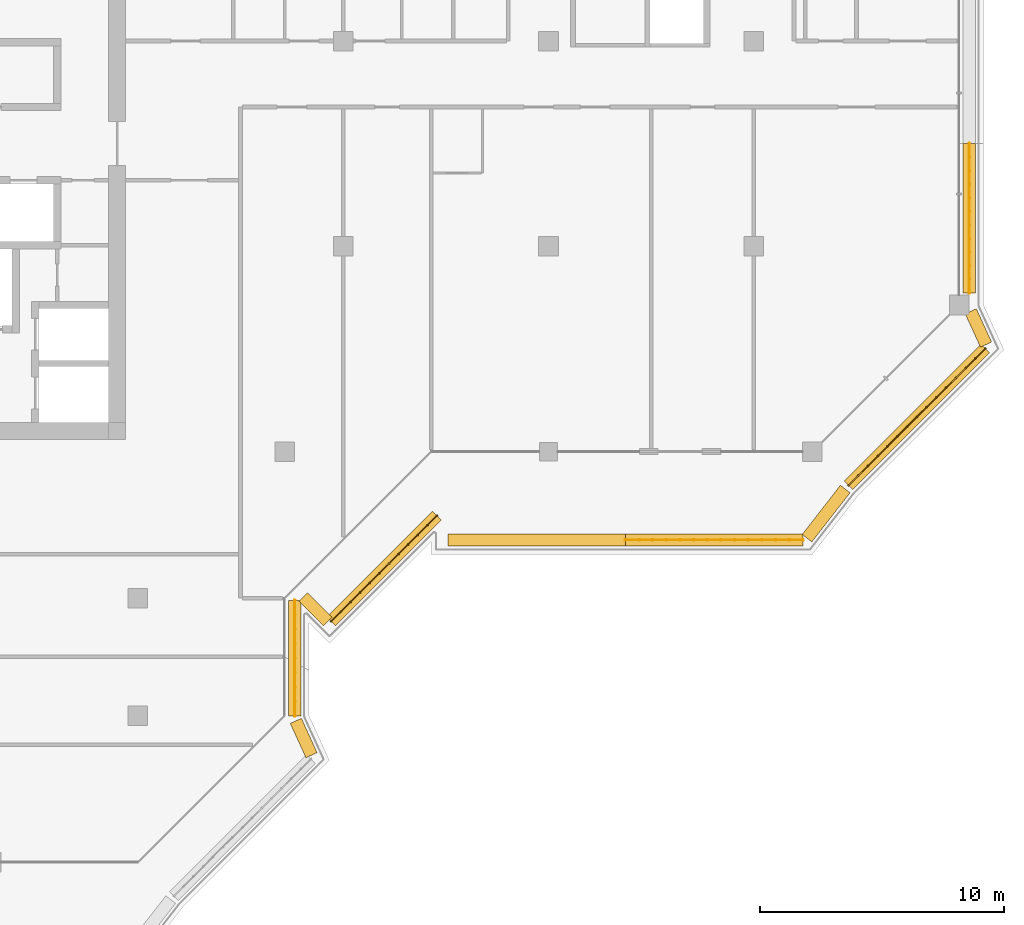
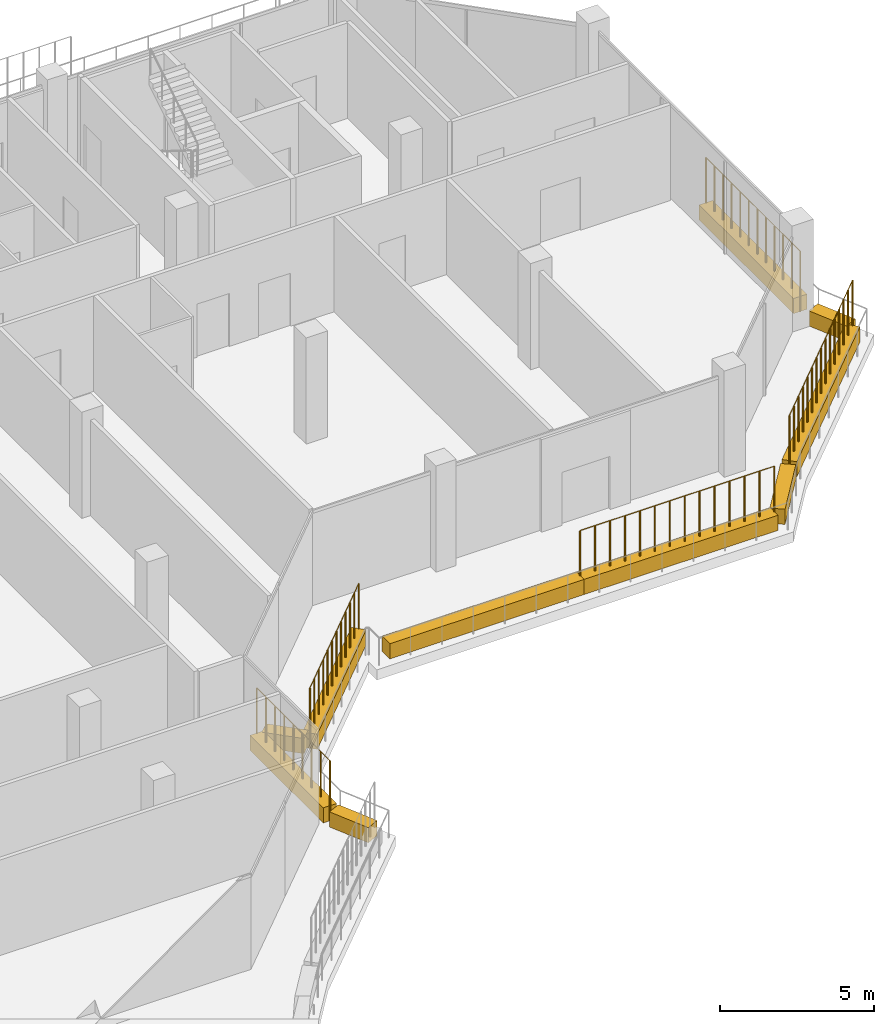
# One storey, part 17 of 20: 10 coverings, 5 railings.
"""IFC4 building model written with IfcOpenShell, lengths in metres."""

from ifc_helpers import new_model, si_unit, direction, frame, origin, origin_2d, place, context, subcontext, project, spatial, rectangle, circle, extrude, material, material_profile, profile_set, type_object, element, save


model = new_model("IFC4")

# Units and contexts
model_context = context("Model", 3, precision=1e-05, world=origin(), true_north=direction((0.0, 1.0)))
body_context = subcontext(model_context, "Body", "Model", "MODEL_VIEW")
ifc_project = project(units=[si_unit("LENGTHUNIT", "METRE"), si_unit("AREAUNIT", "SQUARE_METRE"), si_unit("VOLUMEUNIT", "CUBIC_METRE"), si_unit("PLANEANGLEUNIT", "RADIAN"), si_unit("MASSUNIT", "GRAM", prefix="KILO")], contexts=[model_context])

# Site, building, storey
site_placement = place(None, origin())
site = spatial("IfcSite", under=ifc_project, at=site_placement, CompositionType="ELEMENT")
building_placement = place(site_placement, origin())
building = spatial("IfcBuilding", under=site, at=building_placement, Name="Kawkab Arch Medical Tower", CompositionType="ELEMENT")
storey_placement = place(building_placement, frame((0.0, 0.0, 328.0)))
storey = spatial("IfcBuildingStorey", under=building, at=storey_placement, Name="L76", CompositionType="ELEMENT", Elevation=328.0)

# Coverings
ifc_material_1 = material(Name="Planting soil in a precast trough", Category="concrete")
ifc_material_profile = material_profile(ifc_material_1, rectangle(XDim=0.5, YDim=0.60009765625, at=origin_2d()), Name="Trough 500x600")
ifc_profile_set = profile_set([ifc_material_profile], Name="Planting soil in a precast trough")
covering_type = type_object("IfcCoveringType", Name="Planter trough 500 x 600", PredefinedType="USERDEFINED", material=ifc_profile_set)
covering_1_placement = place(storey_placement, frame((59.219970703125, -12.60009765625, 0.300048828125), z_axis=(0.0, -1.0, 0.0), x_axis=(1.0, 0.0, 0.0)))
element("IfcCovering", 1, at=covering_1_placement, inside=storey, type_object=covering_type, Name="Planter L76.LOG-01-01.23", ObjectType="PLANTER", PredefinedType="USERDEFINED", context=body_context, shape_type="SweptSolid", body=[
    extrude(rectangle(XDim=0.5, YDim=0.60009765625, at=origin_2d()), origin(), (0.0, 0.0, 1.0), 6.119873046875),
])
covering_2_placement = place(storey_placement, frame((59.280029296875, -19.4580078125, 0.300048828125), z_axis=(0.415189748133, -0.909734836667, 0.0), x_axis=(0.909734836667, 0.415189748133, 0.0)))
element("IfcCovering", 2, at=covering_2_placement, inside=storey, type_object=covering_type, Name="Planter L76.LOG-01-01.24", ObjectType="PLANTER", PredefinedType="USERDEFINED", context=body_context, shape_type="SweptSolid", body=[
    extrude(rectangle(XDim=0.5, YDim=0.60009765625, at=origin_2d()), origin(), (0.0, 0.0, 1.0), 1.498291015625),
])
covering_3_placement = place(storey_placement, frame((59.873046875, -20.98291015625, 0.300048828125), z_axis=(-0.707106781187, -0.707106781187, 0.0), x_axis=(0.707106781187, -0.707106781187, 0.0)))
element("IfcCovering", 3, at=covering_3_placement, inside=storey, type_object=covering_type, Name="Planter L76.LOG-01-01.25", ObjectType="PLANTER", PredefinedType="USERDEFINED", context=body_context, shape_type="SweptSolid", body=[
    extrude(rectangle(XDim=0.5, YDim=0.60009765625, at=origin_2d()), origin(), (0.0, 0.0, 1.0), 7.919677734375),
])
covering_4_placement = place(storey_placement, frame((54.14111328125, -26.73193359375, 0.300048828125), z_axis=(-0.614099956103, -0.789228258436, 0.0), x_axis=(0.789228258436, -0.614099956103, 0.0)))
element("IfcCovering", 4, at=covering_4_placement, inside=storey, type_object=covering_type, Name="Planter L76.LOG-01-01.26", ObjectType="PLANTER", PredefinedType="USERDEFINED", context=body_context, shape_type="SweptSolid", body=[
    extrude(rectangle(XDim=0.5, YDim=0.60009765625, at=origin_2d()), origin(), (0.0, 0.0, 1.0), 2.545654296875),
])
for number, where, z_axis, x_axis, name in (
    (5, (52.416015625, -28.820068359375, 0.300048828125), (-1.0, 0.0, 0.0), (0.0, -1.0, 0.0), "Planter L76.LOG-01-01.27"),
    (6, (45.14794921875, -28.820068359375, 0.300048828125), (-1.0, 0.0, 0.0), (0.0, -1.0, 0.0), "Planter L76.LOG-01-01.28"),
):
    element("IfcCovering", number, at=place(storey_placement, frame(where, z_axis=z_axis, x_axis=x_axis)), inside=storey, type_object=covering_type, Name=name, ObjectType="PLANTER", PredefinedType="USERDEFINED", context=body_context, shape_type="SweptSolid", body=[
        extrude(rectangle(XDim=0.5, YDim=0.60009765625, at=origin_2d()), origin(), (0.0, 0.0, 1.0), 7.26806640625),
    ])
covering_5_placement = place(storey_placement, frame((37.43701171875, -27.820068359375, 0.300048828125), z_axis=(-0.707206504313, -0.707007043994, 0.0), x_axis=(0.707007043994, -0.707206504313, 0.0)))
element("IfcCovering", 7, at=covering_5_placement, inside=storey, type_object=covering_type, Name="Planter L76.LOG-01-01.29", ObjectType="PLANTER", PredefinedType="USERDEFINED", context=body_context, shape_type="SweptSolid", body=[
    extrude(rectangle(XDim=0.5, YDim=0.60009765625, at=origin_2d()), origin(), (0.0, 0.0, 1.0), 6.1201171875),
])
covering_6_placement = place(storey_placement, frame((32.967041015625, -32.14697265625, 0.300048828125), z_axis=(-0.707192746389, 0.707020805532, 0.0), x_axis=(-0.707020805532, -0.707192746389, 0.0)))
element("IfcCovering", 8, at=covering_6_placement, inside=storey, type_object=covering_type, Name="Planter L76.LOG-01-01.30", ObjectType="PLANTER", PredefinedType="USERDEFINED", context=body_context, shape_type="SweptSolid", body=[
    extrude(rectangle(XDim=0.5, YDim=0.60009765625, at=origin_2d()), origin(), (0.0, 0.0, 1.0), 1.419921875),
])
covering_7_placement = place(storey_placement, frame((31.6201171875, -31.284912109375, 0.300048828125), z_axis=(0.0, -1.0, 0.0), x_axis=(1.0, 0.0, 0.0)))
element("IfcCovering", 9, at=covering_7_placement, inside=storey, type_object=covering_type, Name="Planter L76.LOG-01-01.31", ObjectType="PLANTER", PredefinedType="USERDEFINED", context=body_context, shape_type="SweptSolid", body=[
    extrude(rectangle(XDim=0.5, YDim=0.60009765625, at=origin_2d()), origin(), (0.0, 0.0, 1.0), 4.740966796875),
])
covering_8_placement = place(storey_placement, frame((31.660888671875, -36.217041015625, 0.300048828125), z_axis=(0.415363486165, -0.909655525109, 0.0), x_axis=(0.909655525109, 0.415363486165, 0.0)))
element("IfcCovering", 10, at=covering_8_placement, inside=storey, type_object=covering_type, Name="Planter L76.LOG-01-01.32", ObjectType="PLANTER", PredefinedType="USERDEFINED", context=body_context, shape_type="SweptSolid", body=[
    extrude(rectangle(XDim=0.5, YDim=0.60009765625, at=origin_2d()), origin(), (0.0, 0.0, 1.0), 1.54345703125),
])

# Railings
ifc_material_2 = material(Name="Bronze anodised aluminium trellis for climbing plants", Category="aluminium")
railing_type = type_object("IfcRailingType", Name="Planting trellis 2400", PredefinedType="USERDEFINED", material=ifc_material_2)
railing_1_placement = place(storey_placement, frame((59.219970703125, -12.60009765625, 0.0)))
element("IfcRailing", 11, at=railing_1_placement, inside=storey, type_object=railing_type, Name="Planting trellis L76.LOG-01-01.23", ObjectType="TRELLIS", PredefinedType="USERDEFINED", context=body_context, shape_type="SweptSolid", body=[
    extrude(circle(Radius=0.01513671875, at=origin_2d()), frame((0.0, 0.0, 2.384765625), z_axis=(0.0, -1.0, 0.0), x_axis=(1.0, 0.0, 0.0)), (0.0, 0.0, 1.0), 6.119873046875),
    extrude(circle(Radius=0.030029296875, at=origin_2d()), origin(), (0.0, 0.0, 1.0), 2.369873046875),
    extrude(circle(Radius=0.030029296875, at=origin_2d()), frame((0.0, -0.556396484375, 0.0)), (0.0, 0.0, 1.0), 2.369873046875),
    extrude(circle(Radius=0.030029296875, at=origin_2d()), frame((0.0, -1.11279296875, 0.0)), (0.0, 0.0, 1.0), 2.369873046875),
    extrude(circle(Radius=0.030029296875, at=origin_2d()), frame((0.0, -1.6689453125, 0.0)), (0.0, 0.0, 1.0), 2.369873046875),
    extrude(circle(Radius=0.030029296875, at=origin_2d()), frame((0.0, -2.225341796875, 0.0)), (0.0, 0.0, 1.0), 2.369873046875),
    extrude(circle(Radius=0.030029296875, at=origin_2d()), frame((0.0, -2.78173828125, 0.0)), (0.0, 0.0, 1.0), 2.369873046875),
    extrude(circle(Radius=0.030029296875, at=origin_2d()), frame((0.0, -3.338134765625, 0.0)), (0.0, 0.0, 1.0), 2.369873046875),
    extrude(circle(Radius=0.030029296875, at=origin_2d()), frame((0.0, -3.89453125, 0.0)), (0.0, 0.0, 1.0), 2.369873046875),
    extrude(circle(Radius=0.030029296875, at=origin_2d()), frame((0.0, -4.450927734375, 0.0)), (0.0, 0.0, 1.0), 2.369873046875),
    extrude(circle(Radius=0.030029296875, at=origin_2d()), frame((0.0, -5.007080078125, 0.0)), (0.0, 0.0, 1.0), 2.369873046875),
    extrude(circle(Radius=0.030029296875, at=origin_2d()), frame((0.0, -5.5634765625, 0.0)), (0.0, 0.0, 1.0), 2.369873046875),
    extrude(circle(Radius=0.030029296875, at=origin_2d()), frame((0.0, -6.119873046875, 0.0)), (0.0, 0.0, 1.0), 2.369873046875),
])
railing_2_placement = place(storey_placement, frame((59.873046875, -20.98291015625, 0.0)))
element("IfcRailing", 12, at=railing_2_placement, inside=storey, type_object=railing_type, Name="Planting trellis L76.LOG-01-01.25", ObjectType="TRELLIS", PredefinedType="USERDEFINED", context=body_context, shape_type="SweptSolid", body=[
    extrude(circle(Radius=0.01513671875, at=origin_2d()), frame((0.0, 0.0, 2.384765625), z_axis=(-0.707106781187, -0.707106781187, 0.0), x_axis=(0.707106781187, -0.707106781187, 0.0)), (0.0, 0.0, 1.0), 7.919677734375),
    extrude(circle(Radius=0.030029296875, at=origin_2d()), origin(), (0.0, 0.0, 1.0), 2.369873046875),
    extrude(circle(Radius=0.030029296875, at=origin_2d()), frame((-0.39990234375, -0.39990234375, 0.0)), (0.0, 0.0, 1.0), 2.369873046875),
    extrude(circle(Radius=0.030029296875, at=origin_2d()), frame((-0.800048828125, -0.800048828125, 0.0)), (0.0, 0.0, 1.0), 2.369873046875),
    extrude(circle(Radius=0.030029296875, at=origin_2d()), frame((-1.199951171875, -1.199951171875, 0.0)), (0.0, 0.0, 1.0), 2.369873046875),
    extrude(circle(Radius=0.030029296875, at=origin_2d()), frame((-1.60009765625, -1.60009765625, 0.0)), (0.0, 0.0, 1.0), 2.369873046875),
    extrude(circle(Radius=0.030029296875, at=origin_2d()), frame((-2.0, -2.0, 0.0)), (0.0, 0.0, 1.0), 2.369873046875),
    extrude(circle(Radius=0.030029296875, at=origin_2d()), frame((-2.400146484375, -2.400146484375, 0.0)), (0.0, 0.0, 1.0), 2.369873046875),
    extrude(circle(Radius=0.030029296875, at=origin_2d()), frame((-2.800048828125, -2.800048828125, 0.0)), (0.0, 0.0, 1.0), 2.369873046875),
    extrude(circle(Radius=0.030029296875, at=origin_2d()), frame((-3.199951171875, -3.199951171875, 0.0)), (0.0, 0.0, 1.0), 2.369873046875),
    extrude(circle(Radius=0.030029296875, at=origin_2d()), frame((-3.60009765625, -3.60009765625, 0.0)), (0.0, 0.0, 1.0), 2.369873046875),
    extrude(circle(Radius=0.030029296875, at=origin_2d()), frame((-4.0, -4.0, 0.0)), (0.0, 0.0, 1.0), 2.369873046875),
    extrude(circle(Radius=0.030029296875, at=origin_2d()), frame((-4.400146484375, -4.400146484375, 0.0)), (0.0, 0.0, 1.0), 2.369873046875),
    extrude(circle(Radius=0.030029296875, at=origin_2d()), frame((-4.800048828125, -4.800048828125, 0.0)), (0.0, 0.0, 1.0), 2.369873046875),
    extrude(circle(Radius=0.030029296875, at=origin_2d()), frame((-5.2001953125, -5.2001953125, 0.0)), (0.0, 0.0, 1.0), 2.369873046875),
    extrude(circle(Radius=0.030029296875, at=origin_2d()), frame((-5.60009765625, -5.60009765625, 0.0)), (0.0, 0.0, 1.0), 2.369873046875),
])
railing_3_placement = place(storey_placement, frame((52.416015625, -28.820068359375, 0.0)))
element("IfcRailing", 13, at=railing_3_placement, inside=storey, type_object=railing_type, Name="Planting trellis L76.LOG-01-01.27", ObjectType="TRELLIS", PredefinedType="USERDEFINED", context=body_context, shape_type="SweptSolid", body=[
    extrude(circle(Radius=0.01513671875, at=origin_2d()), frame((0.0, 0.0, 2.384765625), z_axis=(-1.0, 0.0, 0.0), x_axis=(0.0, -1.0, 0.0)), (0.0, 0.0, 1.0), 7.26806640625),
    extrude(circle(Radius=0.030029296875, at=origin_2d()), origin(), (0.0, 0.0, 1.0), 2.369873046875),
    extrude(circle(Radius=0.030029296875, at=origin_2d()), frame((-0.55908203125, 0.0, 0.0)), (0.0, 0.0, 1.0), 2.369873046875),
    extrude(circle(Radius=0.030029296875, at=origin_2d()), frame((-1.1181640625, 0.0, 0.0)), (0.0, 0.0, 1.0), 2.369873046875),
    extrude(circle(Radius=0.030029296875, at=origin_2d()), frame((-1.67724609375, 0.0, 0.0)), (0.0, 0.0, 1.0), 2.369873046875),
    extrude(circle(Radius=0.030029296875, at=origin_2d()), frame((-2.236328125, 0.0, 0.0)), (0.0, 0.0, 1.0), 2.369873046875),
    extrude(circle(Radius=0.030029296875, at=origin_2d()), frame((-2.79541015625, 0.0, 0.0)), (0.0, 0.0, 1.0), 2.369873046875),
    extrude(circle(Radius=0.030029296875, at=origin_2d()), frame((-3.3544921875, 0.0, 0.0)), (0.0, 0.0, 1.0), 2.369873046875),
    extrude(circle(Radius=0.030029296875, at=origin_2d()), frame((-3.91357421875, 0.0, 0.0)), (0.0, 0.0, 1.0), 2.369873046875),
    extrude(circle(Radius=0.030029296875, at=origin_2d()), frame((-4.47265625, 0.0, 0.0)), (0.0, 0.0, 1.0), 2.369873046875),
    extrude(circle(Radius=0.030029296875, at=origin_2d()), frame((-5.03173828125, 0.0, 0.0)), (0.0, 0.0, 1.0), 2.369873046875),
    extrude(circle(Radius=0.030029296875, at=origin_2d()), frame((-5.5908203125, 0.0, 0.0)), (0.0, 0.0, 1.0), 2.369873046875),
    extrude(circle(Radius=0.030029296875, at=origin_2d()), frame((-6.14990234375, 0.0, 0.0)), (0.0, 0.0, 1.0), 2.369873046875),
    extrude(circle(Radius=0.030029296875, at=origin_2d()), frame((-6.708984375, 0.0, 0.0)), (0.0, 0.0, 1.0), 2.369873046875),
    extrude(circle(Radius=0.030029296875, at=origin_2d()), frame((-7.26806640625, 0.0, 0.0)), (0.0, 0.0, 1.0), 2.369873046875),
])
railing_4_placement = place(storey_placement, frame((37.43701171875, -27.820068359375, 0.0)))
element("IfcRailing", 14, at=railing_4_placement, inside=storey, type_object=railing_type, Name="Planting trellis L76.LOG-01-01.29", ObjectType="TRELLIS", PredefinedType="USERDEFINED", context=body_context, shape_type="SweptSolid", body=[
    extrude(circle(Radius=0.01513671875, at=origin_2d()), frame((0.0, 0.0, 2.384765625), z_axis=(-0.707206504313, -0.707007043994, 0.0), x_axis=(0.707007043994, -0.707206504313, 0.0)), (0.0, 0.0, 1.0), 6.1201171875),
    extrude(circle(Radius=0.030029296875, at=origin_2d()), origin(), (0.0, 0.0, 1.0), 2.369873046875),
    extrude(circle(Radius=0.030029296875, at=origin_2d()), frame((-0.3935546875, -0.393310546875, 0.0)), (0.0, 0.0, 1.0), 2.369873046875),
    extrude(circle(Radius=0.030029296875, at=origin_2d()), frame((-0.786865234375, -0.78662109375, 0.0)), (0.0, 0.0, 1.0), 2.369873046875),
    extrude(circle(Radius=0.030029296875, at=origin_2d()), frame((-1.180419921875, -1.18017578125, 0.0)), (0.0, 0.0, 1.0), 2.369873046875),
    extrude(circle(Radius=0.030029296875, at=origin_2d()), frame((-1.573974609375, -1.573486328125, 0.0)), (0.0, 0.0, 1.0), 2.369873046875),
    extrude(circle(Radius=0.030029296875, at=origin_2d()), frame((-1.96728515625, -1.966796875, 0.0)), (0.0, 0.0, 1.0), 2.369873046875),
    extrude(circle(Radius=0.030029296875, at=origin_2d()), frame((-2.36083984375, -2.360107421875, 0.0)), (0.0, 0.0, 1.0), 2.369873046875),
    extrude(circle(Radius=0.030029296875, at=origin_2d()), frame((-2.754150390625, -2.75341796875, 0.0)), (0.0, 0.0, 1.0), 2.369873046875),
    extrude(circle(Radius=0.030029296875, at=origin_2d()), frame((-3.147705078125, -3.146728515625, 0.0)), (0.0, 0.0, 1.0), 2.369873046875),
    extrude(circle(Radius=0.030029296875, at=origin_2d()), frame((-3.541259765625, -3.540283203125, 0.0)), (0.0, 0.0, 1.0), 2.369873046875),
    extrude(circle(Radius=0.030029296875, at=origin_2d()), frame((-3.9345703125, -3.93359375, 0.0)), (0.0, 0.0, 1.0), 2.369873046875),
    extrude(circle(Radius=0.030029296875, at=origin_2d()), frame((-4.328125, -4.326904296875, 0.0)), (0.0, 0.0, 1.0), 2.369873046875),
])
railing_5_placement = place(storey_placement, frame((31.6201171875, -31.284912109375, 0.0)))
element("IfcRailing", 15, at=railing_5_placement, inside=storey, type_object=railing_type, Name="Planting trellis L76.LOG-01-01.31", ObjectType="TRELLIS", PredefinedType="USERDEFINED", context=body_context, shape_type="SweptSolid", body=[
    extrude(circle(Radius=0.01513671875, at=origin_2d()), frame((0.0, 0.0, 2.384765625), z_axis=(0.0, -1.0, 0.0), x_axis=(1.0, 0.0, 0.0)), (0.0, 0.0, 1.0), 4.740966796875),
    extrude(circle(Radius=0.030029296875, at=origin_2d()), origin(), (0.0, 0.0, 1.0), 2.369873046875),
    extrude(circle(Radius=0.030029296875, at=origin_2d()), frame((0.0, -0.592529296875, 0.0)), (0.0, 0.0, 1.0), 2.369873046875),
    extrude(circle(Radius=0.030029296875, at=origin_2d()), frame((0.0, -1.185302734375, 0.0)), (0.0, 0.0, 1.0), 2.369873046875),
    extrude(circle(Radius=0.030029296875, at=origin_2d()), frame((0.0, -1.77783203125, 0.0)), (0.0, 0.0, 1.0), 2.369873046875),
    extrude(circle(Radius=0.030029296875, at=origin_2d()), frame((0.0, -2.37060546875, 0.0)), (0.0, 0.0, 1.0), 2.369873046875),
    extrude(circle(Radius=0.030029296875, at=origin_2d()), frame((0.0, -2.963134765625, 0.0)), (0.0, 0.0, 1.0), 2.369873046875),
    extrude(circle(Radius=0.030029296875, at=origin_2d()), frame((0.0, -3.5556640625, 0.0)), (0.0, 0.0, 1.0), 2.369873046875),
    extrude(circle(Radius=0.030029296875, at=origin_2d()), frame((0.0, -4.1484375, 0.0)), (0.0, 0.0, 1.0), 2.369873046875),
    extrude(circle(Radius=0.030029296875, at=origin_2d()), frame((0.0, -4.740966796875, 0.0)), (0.0, 0.0, 1.0), 2.369873046875),
])

save(model, "model.ifc")
